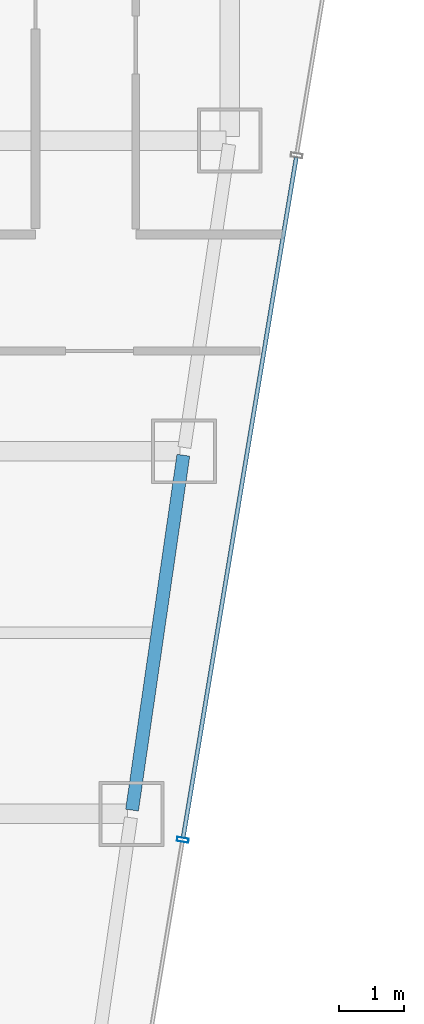
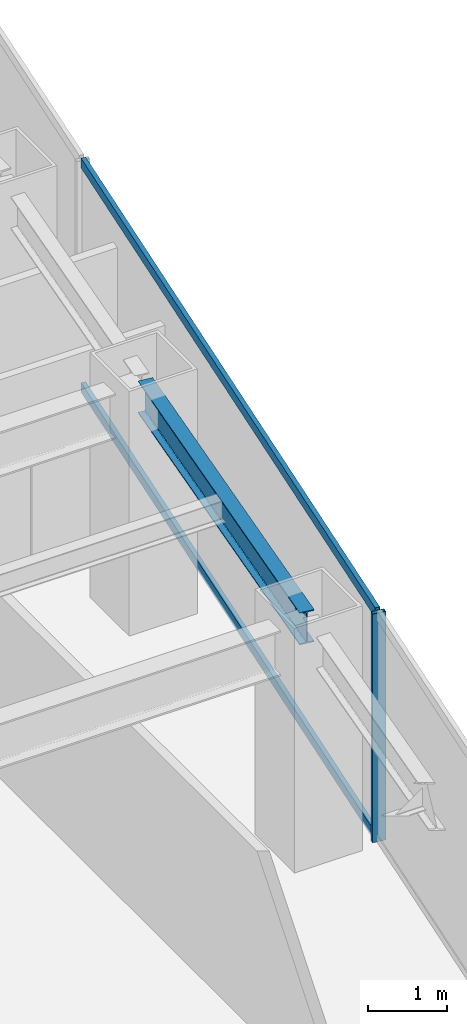
# One storey, part 18 of 37: 3 members, 1 beam, 1 element without a shape of its own.
"""IFC4 building model written with IfcOpenShell, lengths in metres."""

from ifc_helpers import new_model, si_unit, direction, frame, origin, origin_2d, place, context, subcontext, project, spatial, hollow_rectangle, i_section, extrude, material, material_profile, profile_set, type_object, element, aggregate, save


model = new_model("IFC4")

# Units and contexts
model_context = context("Model", 3, precision=1e-05, world=origin(), true_north=direction((0.0, 1.0)))
body_context = subcontext(model_context, "Body", "Model", "MODEL_VIEW")
ifc_project = project(units=[si_unit("LENGTHUNIT", "METRE"), si_unit("AREAUNIT", "SQUARE_METRE"), si_unit("VOLUMEUNIT", "CUBIC_METRE"), si_unit("PLANEANGLEUNIT", "RADIAN"), si_unit("MASSUNIT", "GRAM", prefix="KILO")], contexts=[model_context])

# Site, building, storey
site_placement = place(None, origin())
site = spatial("IfcSite", under=ifc_project, at=site_placement, CompositionType="ELEMENT")
building_placement = place(site_placement, origin())
building = spatial("IfcBuilding", under=site, at=building_placement, Name="Saevonmaru Cultural Tower", CompositionType="ELEMENT")
storey_placement = place(building_placement, frame((0.0, 0.0, 144.800048828125)))
storey = spatial("IfcBuildingStorey", under=building, at=storey_placement, Name="L31", CompositionType="ELEMENT", Elevation=144.800048828125)

# Beam
ifc_material_1 = material(Name="Steel SM355", Category="steel")
ifc_material_profile_1 = material_profile(ifc_material_1, i_section(OverallWidth=0.199951171875, OverallDepth=0.5, WebThickness=0.010009765625, FlangeThickness=0.01611328125, FilletRadius=0.02001953125, at=origin_2d()), Name="H-500x200x10x16")
ifc_profile_set_1 = profile_set([ifc_material_profile_1], Name="Steel SM355")
beam_type = type_object("IfcBeamType", Name="BM-SP-H500", PredefinedType="SPANDREL", material=ifc_profile_set_1)
beam_placement = place(storey_placement, frame((51.691650390625, 32.059326171875, 3.300048828125), z_axis=(0.142964121327, 0.989727871697, 0.0), x_axis=(-0.989727871697, 0.142964121327, 0.0)))
element("IfcBeam", 1, at=beam_placement, inside=storey, type_object=beam_type, Name="L31 East Splayed Spandrel 4", PredefinedType="SPANDREL", context=body_context, shape_type="SweptSolid", body=[
    extrude(i_section(OverallWidth=0.199951171875, OverallDepth=0.5, WebThickness=0.010009765625, FlangeThickness=0.01611328125, FilletRadius=0.02001953125, at=origin_2d()), origin(), (0.0, 0.0, 1.0), 5.5380859375),
])

# Curtain wall, members
ifc_material_2 = material(Name="Satin Bronze Anodised Aluminium", Category="aluminium")
curtain_wall_type = type_object("IfcCurtainWallType", Name="CW-TYP-A", PredefinedType="NOTDEFINED", material=ifc_material_2)
curtain_wall_placement = place(storey_placement, origin())
curtain_wall = element("IfcCurtainWall", 2, at=curtain_wall_placement, inside=storey, type_object=curtain_wall_type, Name="L31 Unitised Curtain Wall E8", PredefinedType="NOTDEFINED")
ifc_material_profile_2 = material_profile(ifc_material_2, hollow_rectangle(XDim=0.06494140625, YDim=0.179931640625, WallThickness=0.00390625, at=origin_2d()), Name="ALU-MULL-180x65x4")
ifc_profile_set_2 = profile_set([ifc_material_profile_2], Name="Satin Bronze Anodised Aluminium")
member_type_1 = type_object("IfcMemberType", Name="ML-CW-180x65", PredefinedType="MULLION", material=ifc_profile_set_2)
member_1_placement = place(storey_placement, frame((52.4755859375, 31.60009765625, 0.0), z_axis=(0.0, 0.0, 1.0), x_axis=(0.163998702345, 0.986460554523, 0.0)))
member_1 = element("IfcMember", 3, at=member_1_placement, type_object=member_type_1, Name="CW-TW-L31-E8 mullion 3", PredefinedType="MULLION", context=body_context, shape_type="SweptSolid", body=[
    extrude(hollow_rectangle(XDim=0.06494140625, YDim=0.179931640625, WallThickness=0.00390625, at=origin_2d()), origin(), (0.0, 0.0, 1.0), 3.550048828125),
])
ifc_material_profile_3 = material_profile(ifc_material_2, hollow_rectangle(XDim=0.06494140625, YDim=0.14990234375, WallThickness=0.00390625, at=origin_2d()), Name="ALU-TRAN-150x65x4")
ifc_profile_set_3 = profile_set([ifc_material_profile_3], Name="Satin Bronze Anodised Aluminium")
member_type_2 = type_object("IfcMemberType", Name="TR-CW-150x65", PredefinedType="USERDEFINED", material=ifc_profile_set_3)
member_2_placement = place(storey_placement, frame((52.48095703125, 31.632080078125, 0.032470703125), z_axis=(0.163990079074, 0.9864619881, 0.0), x_axis=(-0.9864619881, 0.163990079074, 0.0)))
member_2 = element("IfcMember", 4, at=member_2_placement, type_object=member_type_2, Name="CW-TW-L31-E8 transom 3.1", ObjectType="TRANSOM", PredefinedType="USERDEFINED", context=body_context, shape_type="SweptSolid", body=[
    extrude(hollow_rectangle(XDim=0.06494140625, YDim=0.14990234375, WallThickness=0.00390625, at=origin_2d()), origin(), (0.0, 0.0, 1.0), 10.650634765625),
])
member_3_placement = place(storey_placement, frame((52.48095703125, 31.632080078125, 3.517333984375), z_axis=(0.163990079074, 0.9864619881, 0.0), x_axis=(-0.9864619881, 0.163990079074, 0.0)))
member_3 = element("IfcMember", 5, at=member_3_placement, type_object=member_type_2, Name="CW-TW-L31-E8 transom 3.2", ObjectType="TRANSOM", PredefinedType="USERDEFINED", context=body_context, shape_type="SweptSolid", body=[
    extrude(hollow_rectangle(XDim=0.06494140625, YDim=0.14990234375, WallThickness=0.00390625, at=origin_2d()), origin(), (0.0, 0.0, 1.0), 10.650634765625),
])
aggregate(curtain_wall, [member_1, member_2, member_3])

save(model, "model.ifc")
